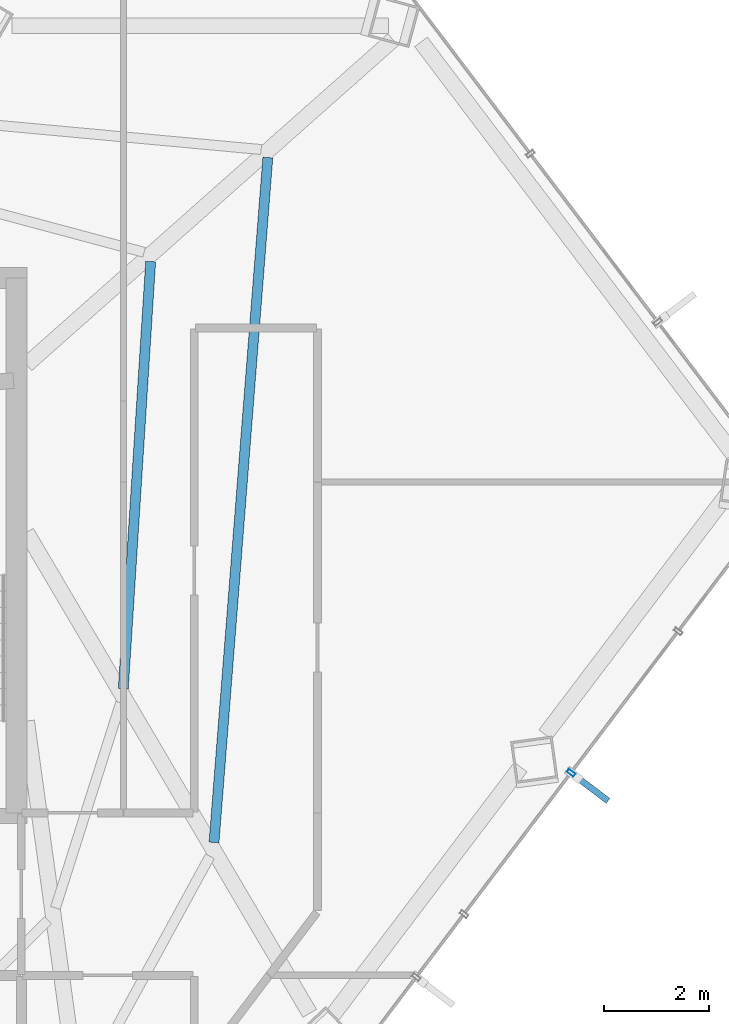
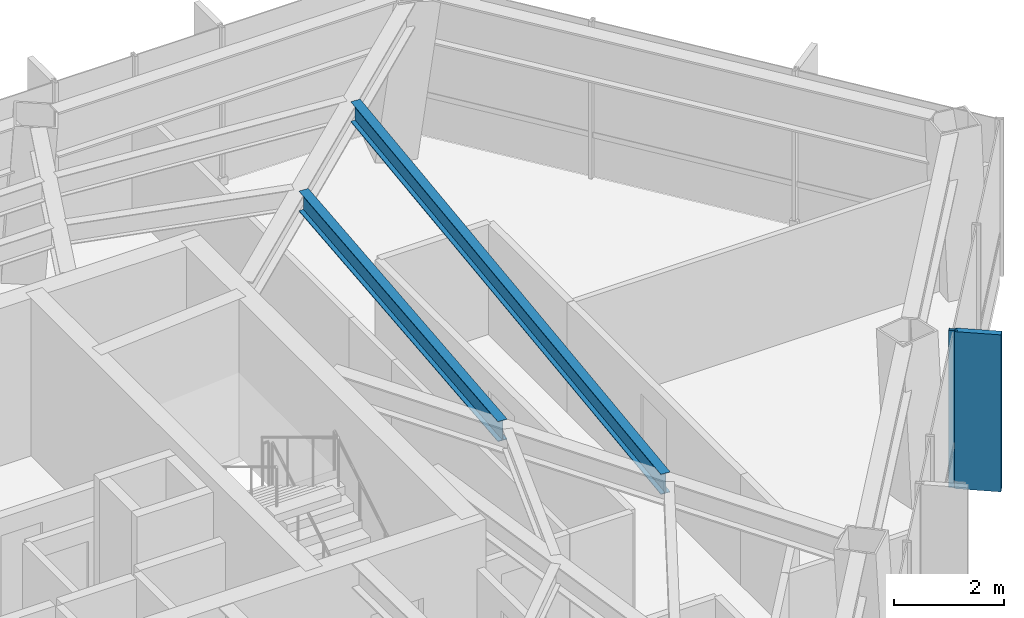
# One storey, part 20 of 28: 2 beams, 2 members, 1 element without a shape of its own.
"""IFC4 building model written with IfcOpenShell, lengths in metres."""

import ifcopenshell
import ifcopenshell.guid

model = None  # the IFC model being written
_history = None  # IfcOwnerHistory: only IFC2X3 demands one
_inside = {}  # id of a spatial element -> (the spatial element, [elements in it])
_under = {}  # id of a project, library or spatial element -> (it, [spatial elements below it])
_declared = {}  # id of a project -> (the project, [libraries it declares])
_typed = {}  # id of a type object -> (the type object, [elements of that type])
_made_of = {}  # id of a material, layer set ... -> (it, [elements and type objects made of it])


def new_model(schema):
    """Start an empty IFC model of exactly this schema.

    Asked for "IFC4X3", IfcOpenShell would pick the latest addendum, in which some entities
    have other attributes; the version numbers below select the first issue.
    IFC2X3 requires an IfcOwnerHistory on every rooted entity: one is made here for all.
    """
    global model, _history
    if schema == "IFC4X3":
        model = ifcopenshell.file(schema_version=(4, 3, 0, 0))
    else:
        model = ifcopenshell.file(schema=schema)
    _inside.clear()
    _under.clear()
    _declared.clear()
    _typed.clear()
    _made_of.clear()
    _history = None
    if model.schema == "IFC2X3":
        org = make("IfcOrganization", Name="unknown")
        user = make(
            "IfcPersonAndOrganization",
            ThePerson=make("IfcPerson", FamilyName="unknown"),
            TheOrganization=org,
        )
        app = make(
            "IfcApplication",
            ApplicationDeveloper=org,
            Version="unknown",
            ApplicationFullName="unknown",
            ApplicationIdentifier="unknown",
        )
        _history = make(
            "IfcOwnerHistory",
            OwningUser=user,
            OwningApplication=app,
            ChangeAction="ADDED",
            CreationDate=0,
        )
    return model


def make(cls, **values):
    """One entity of the class cls with the attributes given. An attribute that is None is left unset."""
    return model.create_entity(
        cls, **{name: value for name, value in values.items() if value is not None}
    )


def rooted(cls, **values):
    """An entity with a GlobalId (a new one), such as an element, a storey or a relation."""
    return make(cls, GlobalId=ifcopenshell.guid.new(), OwnerHistory=_history, **values)


def si_unit(unit_type, name, prefix=None):
    """IfcSIUnit, for example si_unit("LENGTHUNIT", "METRE", prefix="MILLI")."""
    return make("IfcSIUnit", UnitType=unit_type, Prefix=prefix, Name=name)


def assignment(units):
    """IfcUnitAssignment: the units of a project."""
    return None if units is None else make("IfcUnitAssignment", Units=units)


def point(xyz):
    """IfcCartesianPoint."""
    return None if xyz is None else make("IfcCartesianPoint", Coordinates=xyz)


def direction(xyz):
    """IfcDirection."""
    return None if xyz is None else make("IfcDirection", DirectionRatios=xyz)


def frame(location, z_axis=None, x_axis=None):
    """IfcAxis2Placement3D, a coordinate frame: its origin and axes. An axis left out is left unset."""
    return make(
        "IfcAxis2Placement3D",
        Location=point(location),
        Axis=direction(z_axis),
        RefDirection=direction(x_axis),
    )


def frame_2d(location, x_axis=None):
    """IfcAxis2Placement2D, a coordinate frame in the plane: its origin and x axis."""
    return make(
        "IfcAxis2Placement2D", Location=point(location), RefDirection=direction(x_axis)
    )


def origin():
    """The frame at (0, 0, 0) with its axes left unset."""
    return frame((0.0, 0.0, 0.0))


def origin_2d():
    """The frame at (0, 0) in the plane with its x axis left unset."""
    return frame_2d((0.0, 0.0))


def place(relative_to, where):
    """IfcLocalPlacement: puts the frame where relative to a parent placement (None: the world)."""
    return make(
        "IfcLocalPlacement", PlacementRelTo=relative_to, RelativePlacement=where
    )


def context(
    kind, dimensions, precision=None, world=None, true_north=None, identifier=None
):
    """IfcGeometricRepresentationContext, for example the 3D "Model" context."""
    return make(
        "IfcGeometricRepresentationContext",
        ContextIdentifier=identifier,
        ContextType=kind,
        CoordinateSpaceDimension=dimensions,
        Precision=precision,
        WorldCoordinateSystem=world,
        TrueNorth=true_north,
    )


def subcontext(parent, identifier, kind, view, scale=None):
    """IfcGeometricRepresentationSubContext, for example "Body" below "Model"."""
    return make(
        "IfcGeometricRepresentationSubContext",
        ContextIdentifier=identifier,
        ContextType=kind,
        ParentContext=parent,
        TargetScale=scale,
        TargetView=view,
    )


def project(units=None, contexts=None):
    """IfcProject with its units and contexts."""
    return rooted(
        "IfcProject",
        Name="project",
        RepresentationContexts=contexts,
        UnitsInContext=assignment(units),
    )


def spatial(cls, under=None, at=None, **own):
    """A site, building, storey or space (cls), placed at a placement, below another one or the project."""
    s = rooted(cls, ObjectPlacement=at, **own)
    if under is not None:
        _under.setdefault(under.id(), (under, []))[1].append(s)
    return s


def profile(cls, at=None, kind="AREA", **sizes):
    """A parametric profile (cls). Its sizes go by their IFC names, for example OverallWidth=200.0."""
    return make(cls, ProfileType=kind, Position=at, **sizes)


def rectangle(**sizes):
    """IfcRectangleProfileDef."""
    return profile("IfcRectangleProfileDef", **sizes)


def hollow_rectangle(**sizes):
    """IfcRectangleHollowProfileDef."""
    return profile("IfcRectangleHollowProfileDef", **sizes)


def i_section(**sizes):
    """IfcIShapeProfileDef."""
    return profile("IfcIShapeProfileDef", **sizes)


def extrude(swept, where, along, depth):
    """IfcExtrudedAreaSolid: the profile swept, set in the frame where, extruded along a direction by depth."""
    return make(
        "IfcExtrudedAreaSolid",
        SweptArea=swept,
        Position=where,
        ExtrudedDirection=direction(along),
        Depth=depth,
    )


def shape(context_of_items, identifier, shape_type, items):
    """IfcShapeRepresentation: the items that make up one representation, for example the "Body"."""
    return make(
        "IfcShapeRepresentation",
        ContextOfItems=context_of_items,
        RepresentationIdentifier=identifier,
        RepresentationType=shape_type,
        Items=items,
    )


def material(Name=None, Category=None):
    """IfcMaterial."""
    return make("IfcMaterial", Name=Name, Category=Category)


def layer(
    of_material, thickness, ventilated=None, Name=None, Category=None, Priority=None
):
    """IfcMaterialLayer: one layer of a wall or slab, of a material (None: an air gap)."""
    return make(
        "IfcMaterialLayer",
        Material=of_material,
        LayerThickness=thickness,
        IsVentilated=ventilated,
        Name=Name,
        Category=Category,
        Priority=Priority,
    )


def layer_set(layers, Name=None):
    """IfcMaterialLayerSet."""
    return make("IfcMaterialLayerSet", MaterialLayers=layers, LayerSetName=Name)


def material_profile(
    of_material, cross_section, Name=None, Category=None, Priority=None
):
    """IfcMaterialProfile: a cross section and its material."""
    return make(
        "IfcMaterialProfile",
        Name=Name,
        Material=of_material,
        Profile=cross_section,
        Priority=Priority,
        Category=Category,
    )


def profile_set(profiles, Name=None, composite=None):
    """IfcMaterialProfileSet."""
    return make(
        "IfcMaterialProfileSet",
        Name=Name,
        MaterialProfiles=profiles,
        CompositeProfile=composite,
    )


def made_of(thing, what):
    """Note that an element or type object is made of a material, layer set ...; save() writes the relation."""
    if what is not None:
        _made_of.setdefault(what.id(), (what, []))[1].append(thing)
    return thing


def type_object(cls, material=None, **own):
    """A type object (cls), such as IfcWallType, which elements share."""
    return made_of(rooted(cls, **own), material)


def element(
    cls,
    number,
    at=None,
    inside=None,
    cuts=None,
    type_object=None,
    material=None,
    context=None,
    identifier="Body",
    shape_type=None,
    held_by="IfcProductDefinitionShape",
    body=None,
    shapes=None,
    **own,
):
    """One element of the class cls, such as IfcWall. Its Tag is "e" and its number.

    at: its placement. inside: the storey or other place that contains it. cuts: it is an
    opening in that element (IfcRelVoidsElement). A single representation is given by context,
    identifier, shape_type and body (its items); several are given by shapes. held_by: the class
    of the entity that holds the representations. save() writes the other relations.
    """
    e = rooted(cls, Tag="e%d" % number, ObjectPlacement=at, **own)
    if body is not None:
        shapes = [shape(context, identifier, shape_type, body)]
    if shapes is not None:
        e.Representation = make(held_by, Representations=shapes)
    if inside is not None:
        _inside.setdefault(inside.id(), (inside, []))[1].append(e)
    if cuts is not None:
        rooted(
            "IfcRelVoidsElement", RelatingBuildingElement=cuts, RelatedOpeningElement=e
        )
    if type_object is not None:
        _typed.setdefault(type_object.id(), (type_object, []))[1].append(e)
    return made_of(e, material)


def aggregate(whole, parts):
    """IfcRelAggregates: a whole, such as a stair, and the parts it consists of."""
    return rooted("IfcRelAggregates", RelatingObject=whole, RelatedObjects=parts)


def save(model, path):
    """Write the relations noted so far, then the file.

    IfcRelAggregates (storeys below a building ...), IfcRelContainedInSpatialStructure (elements
    in a storey), IfcRelDefinesByType, IfcRelAssociatesMaterial and IfcRelDeclares: one each for
    every whole, place, type object, material and project.
    """
    for whole, parts in _under.values():
        aggregate(whole, parts)
    for where, things in _inside.values():
        rooted(
            "IfcRelContainedInSpatialStructure",
            RelatedElements=things,
            RelatingStructure=where,
        )
    for kind, things in _typed.values():
        rooted("IfcRelDefinesByType", RelatedObjects=things, RelatingType=kind)
    for what, things in _made_of.values():
        rooted("IfcRelAssociatesMaterial", RelatedObjects=things, RelatingMaterial=what)
    for by, libraries in _declared.values():
        rooted("IfcRelDeclares", RelatingContext=by, RelatedDefinitions=libraries)
    model.write(path)


model = new_model("IFC4")

# Units and contexts
model_context = context("Model", 3, precision=1e-05, world=origin(), true_north=direction((0.0, 1.0)))
body_context = subcontext(model_context, "Body", "Model", "MODEL_VIEW")
ifc_project = project(units=[si_unit("LENGTHUNIT", "METRE"), si_unit("AREAUNIT", "SQUARE_METRE"), si_unit("VOLUMEUNIT", "CUBIC_METRE"), si_unit("PLANEANGLEUNIT", "RADIAN"), si_unit("MASSUNIT", "GRAM", prefix="KILO")], contexts=[model_context])

# Site, building, storey
site_placement = place(None, origin())
site = spatial("IfcSite", under=ifc_project, at=site_placement, CompositionType="ELEMENT")
building_placement = place(site_placement, origin())
building = spatial("IfcBuilding", under=site, at=building_placement, Name="Zarrinselat Tower", CompositionType="ELEMENT")
storey_placement = place(building_placement, frame((0.0, 0.0, 153.340087890625)))
storey = spatial("IfcBuildingStorey", under=building, at=storey_placement, Name="L37", CompositionType="ELEMENT", Elevation=153.340087890625)

# Beams
ifc_material_1 = material(Name="Steel S355J2", Category="steel")
ifc_material_profile_1 = material_profile(ifc_material_1, i_section(OverallWidth=0.18994140625, OverallDepth=0.449951171875, WebThickness=0.009521484375, FlangeThickness=0.0146484375, at=origin_2d()), Name="IPE 450")
ifc_profile_set_1 = profile_set([ifc_material_profile_1], Name="Steel S355J2")
beam_type = type_object("IfcBeamType", Name="BM-IPE450", PredefinedType="JOIST", material=ifc_profile_set_1)
beam_1_placement = place(storey_placement, frame((52.026611328125, 32.684814453125, 3.264892578125), z_axis=(0.078338611072, 0.996926808755, 0.0), x_axis=(-0.996926808755, 0.078338611072, 0.0)))
element("IfcBeam", 1, at=beam_1_placement, inside=storey, type_object=beam_type, Name="L37 Composite Floor Joist 4-1", PredefinedType="JOIST", context=body_context, shape_type="SweptSolid", body=[
    extrude(i_section(OverallWidth=0.18994140625, OverallDepth=0.449951171875, WebThickness=0.009521484375, FlangeThickness=0.0146484375, at=origin_2d()), origin(), (0.0, 0.0, 1.0), 13.10791015625),
])
beam_2_placement = place(storey_placement, frame((50.2958984375, 35.62060546875, 3.264892578125), z_axis=(0.063962483978, 0.997952303792, 0.0), x_axis=(-0.997952303792, 0.063962483978, 0.0)))
element("IfcBeam", 2, at=beam_2_placement, inside=storey, type_object=beam_type, Name="L37 Composite Floor Joist 4-2", PredefinedType="JOIST", context=body_context, shape_type="SweptSolid", body=[
    extrude(i_section(OverallWidth=0.18994140625, OverallDepth=0.449951171875, WebThickness=0.009521484375, FlangeThickness=0.0146484375, at=origin_2d()), origin(), (0.0, 0.0, 1.0), 8.164306640625),
])

# Curtain wall, members
ifc_material_2 = material(Name="Extruded Aluminium Alloy EN AW-6063 T6", Category="aluminium")
ifc_layer = layer(ifc_material_2, 0.175048828125)
ifc_layer_set = layer_set([ifc_layer], Name="Extruded Aluminium Alloy EN AW-6063 T6")
curtain_wall_type = type_object("IfcCurtainWallType", Name="CWS-HTL", PredefinedType="NOTDEFINED", material=ifc_layer_set)
curtain_wall_placement = place(storey_placement, origin())
curtain_wall = element("IfcCurtainWall", 3, at=curtain_wall_placement, inside=storey, type_object=curtain_wall_type, Name="L37 Unitised Curtain Wall CW-L37-E05", PredefinedType="NOTDEFINED")
ifc_material_3 = material(Name="Extruded Aluminium Alloy EN AW-6063 T6", Category="aluminium")
ifc_material_profile_2 = material_profile(ifc_material_3, hollow_rectangle(XDim=0.070068359375, YDim=0.159912109375, WallThickness=0.00390625, at=origin_2d()), Name="RHS 160x70x4")
ifc_profile_set_2 = profile_set([ifc_material_profile_2], Name="Extruded Aluminium Alloy EN AW-6063 T6")
member_type_1 = type_object("IfcMemberType", Name="MEM-CW-MUL2", PredefinedType="MULLION", material=ifc_profile_set_2)
member_1_placement = place(storey_placement, frame((58.839111328125, 34.012939453125, 0.0), z_axis=(0.0, 0.0, 1.0), x_axis=(0.603857687995, 0.797092148154, 0.0)))
member_1 = element("IfcMember", 4, at=member_1_placement, type_object=member_type_1, Name="CW-L37-E05 Mullion 7", PredefinedType="MULLION", context=body_context, shape_type="SweptSolid", body=[
    extrude(hollow_rectangle(XDim=0.070068359375, YDim=0.159912109375, WallThickness=0.00390625, at=origin_2d()), origin(), (0.0, 0.0, 1.0), 3.489990234375),
])
ifc_material_4 = material(Name="Honed Cream Travertine Stone", Category="masonry")
ifc_material_profile_3 = material_profile(ifc_material_4, rectangle(XDim=0.1201171875, YDim=0.85009765625, at=origin_2d()), Name="FIN 850x120")
ifc_profile_set_3 = profile_set([ifc_material_profile_3], Name="Honed Cream Travertine Stone")
member_type_2 = type_object("IfcMemberType", Name="MEM-STONE-FIN", PredefinedType="USERDEFINED", material=ifc_profile_set_3)
member_2_placement = place(storey_placement, frame((59.205810546875, 33.735107421875, 0.0), z_axis=(0.0, 0.0, 1.0), x_axis=(-0.603857687995, -0.797092148154, 0.0)))
member_2 = element("IfcMember", 5, at=member_2_placement, type_object=member_type_2, Name="L37 Stone Shading Fin CW-L37-E05-07", ObjectType="FIN", PredefinedType="USERDEFINED", context=body_context, shape_type="SweptSolid", body=[
    extrude(rectangle(XDim=0.1201171875, YDim=0.85009765625, at=origin_2d()), origin(), (0.0, 0.0, 1.0), 3.489990234375),
])
aggregate(curtain_wall, [member_1, member_2])

save(model, "model.ifc")
